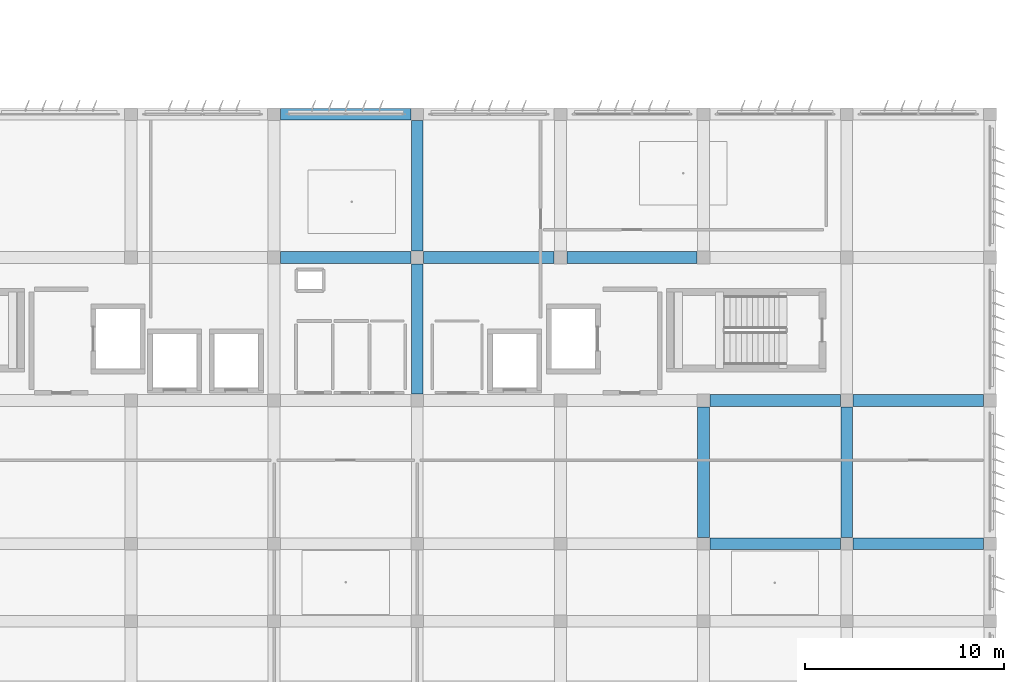
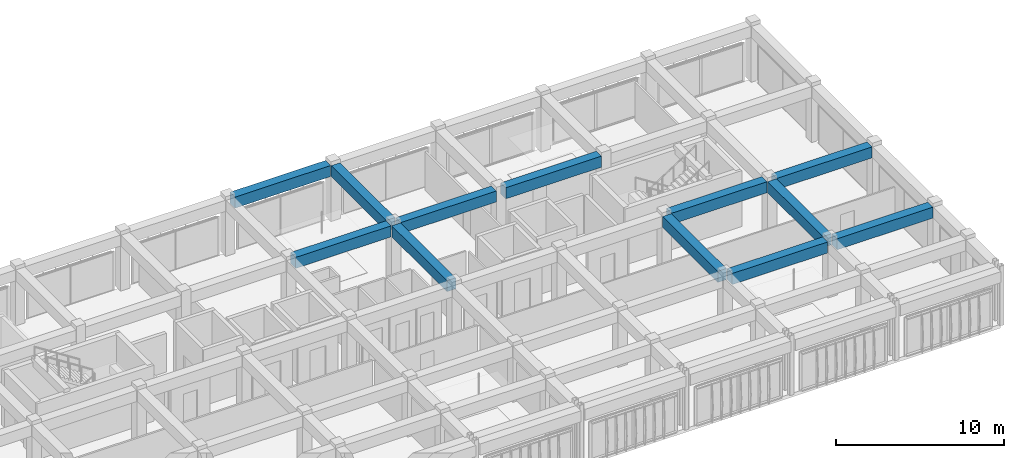
# One storey, part 22 of 53: 12 beams.
"""IFC4 building model written with IfcOpenShell, lengths in metres."""

from ifc_helpers import new_model, si_unit, direction, frame, origin, origin_2d, place, context, subcontext, project, spatial, rectangle, extrude, material, material_profile, profile_set, type_object, element, save


model = new_model("IFC4")

# Units and contexts
model_context = context("Model", 3, precision=1e-05, world=origin(), true_north=direction((0.0, 1.0)))
body_context = subcontext(model_context, "Body", "Model", "MODEL_VIEW")
ifc_project = project(units=[si_unit("LENGTHUNIT", "METRE"), si_unit("AREAUNIT", "SQUARE_METRE"), si_unit("VOLUMEUNIT", "CUBIC_METRE"), si_unit("PLANEANGLEUNIT", "RADIAN"), si_unit("MASSUNIT", "GRAM", prefix="KILO")], contexts=[model_context])

# Site, building, storey
site_placement = place(None, origin())
site = spatial("IfcSite", under=ifc_project, at=site_placement, CompositionType="ELEMENT")
building_placement = place(site_placement, origin())
building = spatial("IfcBuilding", under=site, at=building_placement, Name="Kazehaya Institute of Natural Sciences", CompositionType="ELEMENT")
storey_placement = place(building_placement, frame((0.0, 0.0, 33.300048828125)))
storey = spatial("IfcBuildingStorey", under=building, at=storey_placement, Name="L07", CompositionType="ELEMENT", Elevation=33.300048828125)

# Beams
ifc_material = material(Name="Concrete Fc36", Category="concrete")
ifc_material_profile = material_profile(ifc_material, rectangle(XDim=0.60009765625, YDim=0.800048828125, at=origin_2d()), Name="RC-600x800")
ifc_profile_set = profile_set([ifc_material_profile], Name="Concrete Fc36")
beam_type = type_object("IfcBeamType", Name="BM-G-600x800", PredefinedType="BEAM", material=ifc_profile_set)
for number, where, z_axis, x_axis, name in (
    (1, (105.324951171875, 14.0, 3.64990234375), (1.0, 0.0, 0.0), (0.0, 1.0, 0.0), "L07 primary X girder BMX-L07-1050-140"),
    (2, (112.52490234375, 14.0, 3.64990234375), (1.0, 0.0, 0.0), (0.0, 1.0, 0.0), "L07 primary X girder BMX-L07-1122-140"),
    (3, (105.324951171875, 21.199951171875, 3.64990234375), (1.0, 0.0, 0.0), (0.0, 1.0, 0.0), "L07 primary X girder BMX-L07-1050-212"),
    (4, (112.52490234375, 21.199951171875, 3.64990234375), (1.0, 0.0, 0.0), (0.0, 1.0, 0.0), "L07 primary X girder BMX-L07-1122-212"),
):
    element("IfcBeam", number, at=place(storey_placement, frame(where, z_axis=z_axis, x_axis=x_axis)), inside=storey, type_object=beam_type, Name=name, PredefinedType="BEAM", context=body_context, shape_type="SweptSolid", body=[
        extrude(rectangle(XDim=0.60009765625, YDim=0.800048828125, at=origin_2d()), origin(), (0.0, 0.0, 1.0), 6.550048828125),
    ])
beam_1_placement = place(storey_placement, frame((83.72509765625, 28.39990234375, 3.64990234375), z_axis=(1.0, 0.0, 0.0), x_axis=(0.0, 1.0, 0.0)))
element("IfcBeam", 5, at=beam_1_placement, inside=storey, type_object=beam_type, Name="L07 primary X girder BMX-L07-834-284", PredefinedType="BEAM", context=body_context, shape_type="SweptSolid", body=[
    extrude(rectangle(XDim=0.60009765625, YDim=0.800048828125, at=origin_2d()), origin(), (0.0, 0.0, 1.0), 6.5498046875),
])
for number, where, z_axis, x_axis, name in (
    (6, (90.925048828125, 28.39990234375, 3.64990234375), (1.0, 0.0, 0.0), (0.0, 1.0, 0.0), "L07 primary X girder BMX-L07-906-284"),
    (7, (98.125, 28.39990234375, 3.64990234375), (1.0, 0.0, 0.0), (0.0, 1.0, 0.0), "L07 primary X girder BMX-L07-978-284"),
):
    element("IfcBeam", number, at=place(storey_placement, frame(where, z_axis=z_axis, x_axis=x_axis)), inside=storey, type_object=beam_type, Name=name, PredefinedType="BEAM", context=body_context, shape_type="SweptSolid", body=[
        extrude(rectangle(XDim=0.60009765625, YDim=0.800048828125, at=origin_2d()), origin(), (0.0, 0.0, 1.0), 6.550048828125),
    ])
beam_2_placement = place(storey_placement, frame((83.72509765625, 35.60009765625, 3.64990234375), z_axis=(1.0, 0.0, 0.0), x_axis=(0.0, 1.0, 0.0)))
element("IfcBeam", 8, at=beam_2_placement, inside=storey, type_object=beam_type, Name="L07 primary X girder BMX-L07-834-356", PredefinedType="BEAM", context=body_context, shape_type="SweptSolid", body=[
    extrude(rectangle(XDim=0.60009765625, YDim=0.800048828125, at=origin_2d()), origin(), (0.0, 0.0, 1.0), 6.5498046875),
])
beam_3_placement = place(storey_placement, frame((90.60009765625, 21.52490234375, 3.64990234375), z_axis=(0.0, 1.0, 0.0), x_axis=(-1.0, 0.0, 0.0)))
element("IfcBeam", 9, at=beam_3_placement, inside=storey, type_object=beam_type, Name="L07 primary Y girder BMY-L07-906-212", PredefinedType="BEAM", context=body_context, shape_type="SweptSolid", body=[
    extrude(rectangle(XDim=0.60009765625, YDim=0.800048828125, at=origin_2d()), origin(), (0.0, 0.0, 1.0), 6.550048828125),
])
beam_4_placement = place(storey_placement, frame((90.60009765625, 28.72509765625, 3.64990234375), z_axis=(0.0, 1.0, 0.0), x_axis=(-1.0, 0.0, 0.0)))
element("IfcBeam", 10, at=beam_4_placement, inside=storey, type_object=beam_type, Name="L07 primary Y girder BMY-L07-906-284", PredefinedType="BEAM", context=body_context, shape_type="SweptSolid", body=[
    extrude(rectangle(XDim=0.60009765625, YDim=0.800048828125, at=origin_2d()), origin(), (0.0, 0.0, 1.0), 6.5498046875),
])
for number, where, z_axis, x_axis, name in (
    (11, (105.0, 14.324951171875, 3.64990234375), (0.0, 1.0, 0.0), (-1.0, 0.0, 0.0), "L07 primary Y girder BMY-L07-1050-140"),
    (12, (112.199951171875, 14.324951171875, 3.64990234375), (0.0, 1.0, 0.0), (-1.0, 0.0, 0.0), "L07 primary Y girder BMY-L07-1122-140"),
):
    element("IfcBeam", number, at=place(storey_placement, frame(where, z_axis=z_axis, x_axis=x_axis)), inside=storey, type_object=beam_type, Name=name, PredefinedType="BEAM", context=body_context, shape_type="SweptSolid", body=[
        extrude(rectangle(XDim=0.60009765625, YDim=0.800048828125, at=origin_2d()), origin(), (0.0, 0.0, 1.0), 6.550048828125),
    ])

save(model, "model.ifc")
